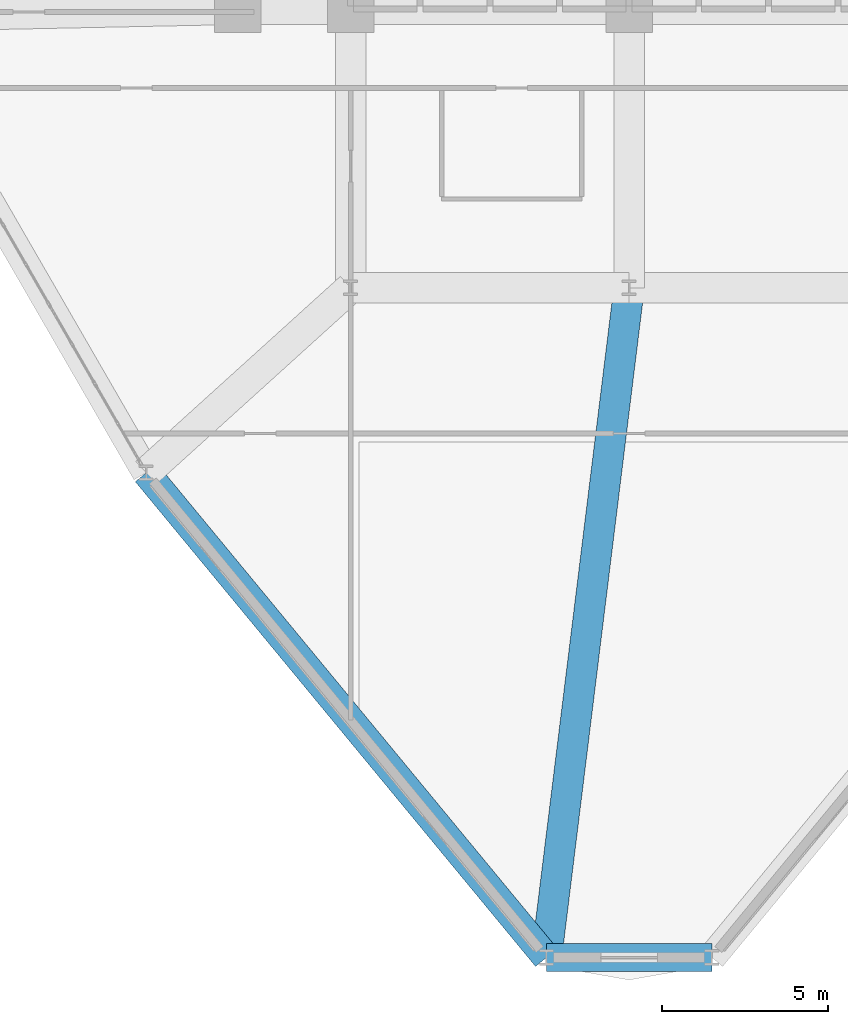
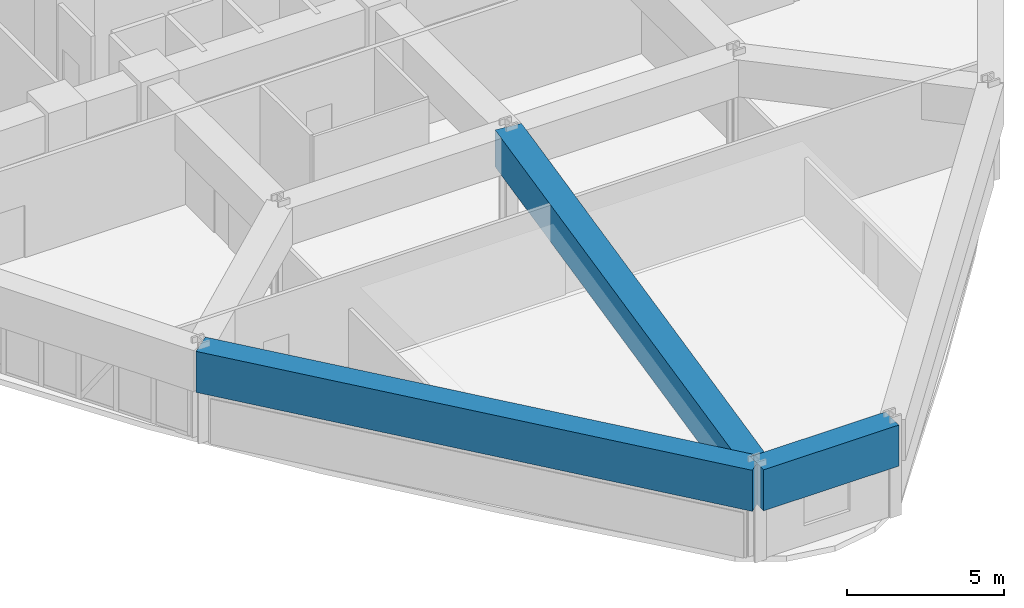
# One storey, part 3 of 20: 3 beams.
"""IFC4 building model written with IfcOpenShell, lengths in metres."""

from ifc_helpers import new_model, si_unit, derived_unit, direction, frame, origin, origin_2d, place, context, subcontext, project, spatial, rectangle, extrude, source, transform, mapped, material, material_profile, profile_set, type_object, element, save


model = new_model("IFC4")

# Units and contexts
model_context = context("Model", 3, precision=1e-05, world=origin(), true_north=direction((0.0, 1.0)))
body_context = subcontext(model_context, "Body", "Model", "MODEL_VIEW")
ifc_project = project(units=[si_unit("LENGTHUNIT", "METRE"), si_unit("AREAUNIT", "SQUARE_METRE"), si_unit("VOLUMEUNIT", "CUBIC_METRE"), si_unit("PLANEANGLEUNIT", "RADIAN"), si_unit("MASSUNIT", "GRAM", prefix="KILO"), derived_unit("THERMALTRANSMITTANCEUNIT", [(si_unit("POWERUNIT", "WATT"), 1), (si_unit("LENGTHUNIT", "METRE"), -2), (si_unit("THERMODYNAMICTEMPERATUREUNIT", "KELVIN"), -1)])], contexts=[model_context])

# Site, building, storey
site_placement = place(None, origin())
site = spatial("IfcSite", under=ifc_project, at=site_placement, CompositionType="ELEMENT")
building_placement = place(site_placement, origin())
building = spatial("IfcBuilding", under=site, at=building_placement, Name="Korsvarv Bourse and Concert Hall", CompositionType="ELEMENT")
storey_placement = place(building_placement, frame((0.0, 0.0, 35.699951171875)))
storey = spatial("IfcBuildingStorey", under=building, at=storey_placement, Name="L08", CompositionType="ELEMENT", Elevation=35.699951171875)

# Beams
ifc_material_1 = material(Name="Concrete C55/67", Category="concrete")
ifc_material_profile_1 = material_profile(ifc_material_1, rectangle(XDim=0.85009765625, YDim=1.60009765625, at=origin_2d()), Name="RC-BM 850x1600")
ifc_profile_set_1 = profile_set([ifc_material_profile_1], Name="Concrete C55/67")
beam_type_1 = type_object("IfcBeamType", Name="BM-TR1B", PredefinedType="BEAM", material=ifc_profile_set_1)
shared_shape_1 = source(origin(), body_context, "Body", "SweptSolid", [
    extrude(rectangle(XDim=0.85009765625, YDim=1.60009765625, at=origin_2d()), origin(), (0.0, 0.0, 1.0), 18.95849609375),
])
beam_1_placement = place(storey_placement, frame((21.436279296875, 18.422119140625, 2.880126953125), z_axis=(0.636697061267, -0.771114033184, 0.0), x_axis=(0.771114033184, 0.636697061267, 0.0)))
element("IfcBeam", 1, at=beam_1_placement, inside=storey, type_object=beam_type_1, Name="L08 beam B-TR2", PredefinedType="BEAM", context=body_context, shape_type="MappedRepresentation", body=[
    mapped(shared_shape_1, transform((0.0, 0.0, 0.0), scale=1.0)),
])
shared_shape_2 = source(origin(), body_context, "Body", "SweptSolid", [
    extrude(rectangle(XDim=0.85009765625, YDim=1.60009765625, at=origin_2d()), origin(), (0.0, 0.0, 1.0), 4.98583984375),
])
beam_2_placement = place(storey_placement, frame((33.507080078125, 3.802978515625, 2.880126953125), z_axis=(1.0, 0.0, 0.0), x_axis=(0.0, 1.0, 0.0)))
element("IfcBeam", 2, at=beam_2_placement, inside=storey, type_object=beam_type_1, Name="L08 beam B-TR2", PredefinedType="BEAM", context=body_context, shape_type="MappedRepresentation", body=[
    mapped(shared_shape_2, transform((0.0, 0.0, 0.0), scale=1.0)),
])
ifc_material_2 = material(Name="Concrete C50/60", Category="concrete")
ifc_material_profile_2 = material_profile(ifc_material_2, rectangle(XDim=0.919921875, YDim=1.43994140625, at=origin_2d()), Name="RC-BM 920x1440")
ifc_profile_set_2 = profile_set([ifc_material_profile_2], Name="Concrete C50/60")
beam_type_2 = type_object("IfcBeamType", Name="BM-TR-144", PredefinedType="BEAM", material=ifc_profile_set_2)
shared_shape_3 = source(origin(), body_context, "Body", "SweptSolid", [
    extrude(rectangle(XDim=0.919921875, YDim=1.43994140625, at=origin_2d()), origin(), (0.0, 0.0, 1.0), 20.350341796875),
])
beam_3_placement = place(storey_placement, frame((33.507080078125, 3.802978515625, 2.9599609375), z_axis=(0.122500458282, 0.992468456789, 0.0), x_axis=(-0.992468456789, 0.122500458282, 0.0)))
element("IfcBeam", 3, at=beam_3_placement, inside=storey, type_object=beam_type_2, Name="L08 beam B-TR4", PredefinedType="BEAM", context=body_context, shape_type="MappedRepresentation", body=[
    mapped(shared_shape_3, transform((0.0, 0.0, 0.0), scale=1.0)),
])

save(model, "model.ifc")
